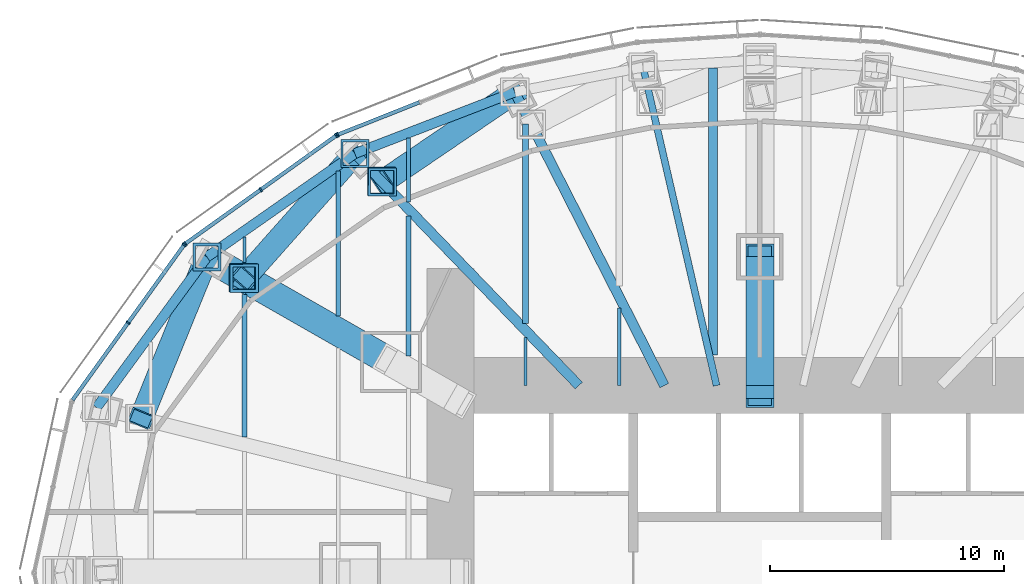
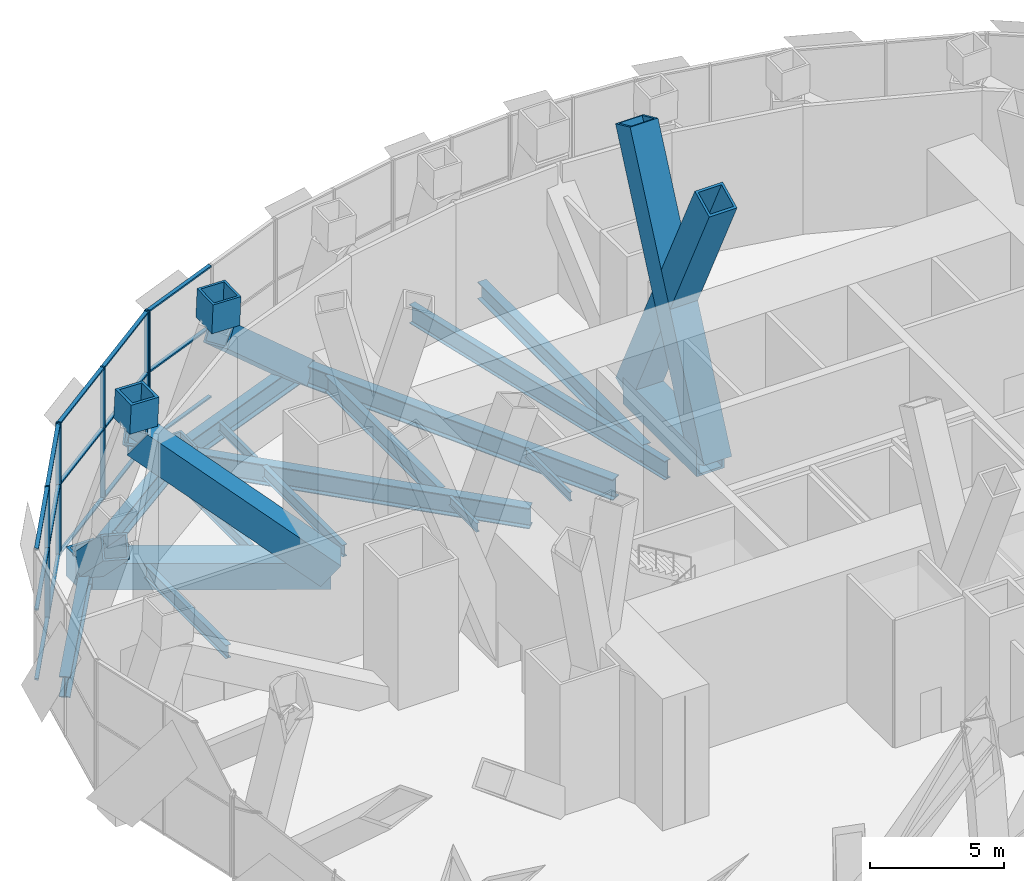
# One storey, part 8 of 21: 31 members, 17 beams, 3 elements without a shape of their own.
"""IFC4 building model written with IfcOpenShell, lengths in metres."""

from ifc_helpers import new_model, si_unit, direction, frame, origin, origin_2d, place, context, subcontext, project, spatial, rectangle, hollow_rectangle, i_section, extrude, material, material_profile, profile_set, type_object, element, aggregate, save


model = new_model("IFC4")

# Units and contexts
model_context = context("Model", 3, precision=1e-05, world=origin(), true_north=direction((0.0, 1.0)))
body_context = subcontext(model_context, "Body", "Model", "MODEL_VIEW")
ifc_project = project(units=[si_unit("LENGTHUNIT", "METRE"), si_unit("AREAUNIT", "SQUARE_METRE"), si_unit("VOLUMEUNIT", "CUBIC_METRE"), si_unit("PLANEANGLEUNIT", "RADIAN"), si_unit("MASSUNIT", "GRAM", prefix="KILO")], contexts=[model_context])

# Site, building, storey
site_placement = place(None, origin())
site = spatial("IfcSite", under=ifc_project, at=site_placement, CompositionType="ELEMENT")
building_placement = place(site_placement, origin())
building = spatial("IfcBuilding", under=site, at=building_placement, Name="Lantaw Convention Tower", CompositionType="ELEMENT")
storey_placement = place(building_placement, frame((0.0, 0.0, 105.39990234375)))
storey = spatial("IfcBuildingStorey", under=building, at=storey_placement, Name="L25", CompositionType="ELEMENT", Elevation=105.39990234375)

# Beams
ifc_material_1 = material(Name="Steel ASTM A992", Category="steel")
ifc_material_profile_1 = material_profile(ifc_material_1, i_section(OverallWidth=0.424072265625, OverallDepth=0.947509765625, WebThickness=0.02392578125, FlangeThickness=0.042724609375, FilletRadius=0.012451171875, at=origin_2d()), Name="W36X302")
ifc_profile_set_1 = profile_set([ifc_material_profile_1], Name="Steel ASTM A992")
beam_type_1 = type_object("IfcBeamType", Name="Beam BC W36X302", PredefinedType="SPANDREL", material=ifc_profile_set_1)
beam_1_placement = place(storey_placement, frame((-10.462646484375, 20.533935546875, -0.673583984375), z_axis=(-0.933232900641, -0.359271976588, 0.0), x_axis=(0.359271976588, -0.933232900641, 0.0)))
element("IfcBeam", 1, at=beam_1_placement, inside=storey, type_object=beam_type_1, Name="Belt truss chord 9", PredefinedType="SPANDREL", context=body_context, shape_type="SweptSolid", body=[
    extrude(i_section(OverallWidth=0.424072265625, OverallDepth=0.947509765625, WebThickness=0.02392578125, FlangeThickness=0.042724609375, FilletRadius=0.012451171875, at=origin_2d()), origin(), (0.0, 0.0, 1.0), 7.316650390625),
])
beam_2_placement = place(storey_placement, frame((-17.290771484375, 17.9052734375, -0.673583984375), z_axis=(-0.81942686407, -0.57318375277, 0.0), x_axis=(0.57318375277, -0.81942686407, 0.0)))
element("IfcBeam", 2, at=beam_2_placement, inside=storey, type_object=beam_type_1, Name="Belt truss chord 10", PredefinedType="SPANDREL", context=body_context, shape_type="SweptSolid", body=[
    extrude(i_section(OverallWidth=0.424072265625, OverallDepth=0.947509765625, WebThickness=0.02392578125, FlangeThickness=0.042724609375, FilletRadius=0.012451171875, at=origin_2d()), origin(), (0.0, 0.0, 1.0), 7.70556640625),
])
beam_3_placement = place(storey_placement, frame((-23.60498046875, 13.488525390625, -0.673583984375), z_axis=(-0.591270709086, -0.806473154281, 0.0), x_axis=(0.806473154281, -0.591270709086, 0.0)))
element("IfcBeam", 3, at=beam_3_placement, inside=storey, type_object=beam_type_1, Name="Belt truss chord 11", PredefinedType="SPANDREL", context=body_context, shape_type="SweptSolid", body=[
    extrude(i_section(OverallWidth=0.424072265625, OverallDepth=0.947509765625, WebThickness=0.02392578125, FlangeThickness=0.042724609375, FilletRadius=0.012451171875, at=origin_2d()), origin(), (0.0, 0.0, 1.0), 7.970703125),
])
ifc_material_2 = material(Name="Steel EN 10025-3 S460N", Category="steel")
ifc_material_profile_2 = material_profile(ifc_material_2, hollow_rectangle(XDim=1.199951171875, YDim=1.199951171875, WallThickness=0.10009765625, at=origin_2d()), Name="BOX1200X100")
ifc_profile_set_2 = profile_set([ifc_material_profile_2], Name="Steel EN 10025-3 S460N")
beam_type_2 = type_object("IfcBeamType", Name="Beam G BOX1200X100", PredefinedType="BEAM", material=ifc_profile_set_2)
beam_4_placement = place(storey_placement, frame((-15.75, 9.0, -0.7998046875), z_axis=(-0.868244802791, 0.496136032179, 0.0), x_axis=(-0.496136032179, -0.868244802791, 0.0)))
element("IfcBeam", 4, at=beam_4_placement, inside=storey, type_object=beam_type_2, Name="Floor girder on ray 11", PredefinedType="BEAM", context=body_context, shape_type="SweptSolid", body=[
    extrude(hollow_rectangle(XDim=1.199951171875, YDim=1.199951171875, WallThickness=0.10009765625, at=origin_2d()), origin(), (0.0, 0.0, 1.0), 9.046875),
])
ifc_material_profile_3 = material_profile(ifc_material_1, i_section(OverallWidth=0.2919921875, OverallDepth=0.845703125, WebThickness=0.015380859375, FlangeThickness=0.0244140625, FilletRadius=0.01513671875, at=origin_2d()), Name="W33X141")
ifc_profile_set_3 = profile_set([ifc_material_profile_3], Name="Steel ASTM A992")
beam_type_3 = type_object("IfcBeamType", Name="Beam G W33X141", PredefinedType="BEAM", material=ifc_profile_set_3)
beam_5_placement = place(storey_placement, frame((-1.846923828125, 8.0, -0.622802734375), z_axis=(-0.224952773175, 0.97436966796, 0.0), x_axis=(-0.97436966796, -0.224952773175, 0.0)))
element("IfcBeam", 5, at=beam_5_placement, inside=storey, type_object=beam_type_3, Name="Floor girder on ray 8", PredefinedType="BEAM", context=body_context, shape_type="SweptSolid", body=[
    extrude(i_section(OverallWidth=0.2919921875, OverallDepth=0.845703125, WebThickness=0.015380859375, FlangeThickness=0.0244140625, FilletRadius=0.01513671875, at=origin_2d()), origin(), (0.0, 0.0, 1.0), 13.955810546875),
])
ifc_material_profile_4 = material_profile(ifc_material_1, i_section(OverallWidth=0.421630859375, OverallDepth=0.937255859375, WebThickness=0.0224609375, FlangeThickness=0.039794921875, FilletRadius=0.02001953125, at=origin_2d()), Name="W36X282")
ifc_profile_set_4 = profile_set([ifc_material_profile_4], Name="Steel ASTM A992")
beam_type_4 = type_object("IfcBeamType", Name="Beam G W36X282", PredefinedType="BEAM", material=ifc_profile_set_4)
beam_6_placement = place(storey_placement, frame((-4.076171875, 8.0, -0.66845703125), z_axis=(-0.453997016122, 0.891003203896, 0.0), x_axis=(-0.891003203896, -0.453997016122, 0.0)))
element("IfcBeam", 6, at=beam_6_placement, inside=storey, type_object=beam_type_4, Name="Floor girder on ray 9", PredefinedType="BEAM", context=body_context, shape_type="SweptSolid", body=[
    extrude(i_section(OverallWidth=0.421630859375, OverallDepth=0.937255859375, WebThickness=0.0224609375, FlangeThickness=0.039794921875, FilletRadius=0.02001953125, at=origin_2d()), origin(), (0.0, 0.0, 1.0), 14.067138671875),
])
beam_7_placement = place(storey_placement, frame((-7.7255859375, 8.0, -0.66845703125), z_axis=(-0.694649884291, 0.719347995239, 0.0), x_axis=(-0.719347995239, -0.694649884291, 0.0)))
element("IfcBeam", 7, at=beam_7_placement, inside=storey, type_object=beam_type_4, Name="Floor girder on ray 10", PredefinedType="BEAM", context=body_context, shape_type="SweptSolid", body=[
    extrude(i_section(OverallWidth=0.421630859375, OverallDepth=0.937255859375, WebThickness=0.0224609375, FlangeThickness=0.039794921875, FilletRadius=0.02001953125, at=origin_2d()), origin(), (0.0, 0.0, 1.0), 13.769775390625),
])
ifc_material_profile_5 = material_profile(ifc_material_1, i_section(OverallWidth=0.140380859375, OverallDepth=0.40380859375, WebThickness=0.007080078125, FlangeThickness=0.01123046875, FilletRadius=0.01025390625, at=origin_2d()), Name="W16X31")
ifc_profile_set_5 = profile_set([ifc_material_profile_5], Name="Steel ASTM A992")
beam_type_5 = type_object("IfcBeamType", Name="Beam J W16X31", PredefinedType="JOIST", material=ifc_profile_set_5)
beam_8_placement = place(storey_placement, frame((-22.0, 13.262451171875, -0.40185546875), z_axis=(0.0, 1.0, 0.0), x_axis=(-1.0, 0.0, 0.0)))
element("IfcBeam", 8, at=beam_8_placement, inside=storey, type_object=beam_type_5, Name="Floor joist", PredefinedType="JOIST", context=body_context, shape_type="SweptSolid", body=[
    extrude(i_section(OverallWidth=0.140380859375, OverallDepth=0.40380859375, WebThickness=0.007080078125, FlangeThickness=0.01123046875, FilletRadius=0.01025390625, at=origin_2d()), origin(), (0.0, 0.0, 1.0), 1.08984375),
])
beam_9_placement = place(storey_placement, frame((-10.0, 8.0, -0.40185546875), z_axis=(0.0, 1.0, 0.0), x_axis=(-1.0, 0.0, 0.0)))
element("IfcBeam", 9, at=beam_9_placement, inside=storey, type_object=beam_type_5, Name="Floor joist", PredefinedType="JOIST", context=body_context, shape_type="SweptSolid", body=[
    extrude(i_section(OverallWidth=0.140380859375, OverallDepth=0.40380859375, WebThickness=0.007080078125, FlangeThickness=0.01123046875, FilletRadius=0.01025390625, at=origin_2d()), origin(), (0.0, 0.0, 1.0), 2.0517578125),
])
beam_10_placement = place(storey_placement, frame((-6.0, 8.0, -0.40185546875), z_axis=(0.0, 1.0, 0.0), x_axis=(-1.0, 0.0, 0.0)))
element("IfcBeam", 10, at=beam_10_placement, inside=storey, type_object=beam_type_5, Name="Floor joist", PredefinedType="JOIST", context=body_context, shape_type="SweptSolid", body=[
    extrude(i_section(OverallWidth=0.140380859375, OverallDepth=0.40380859375, WebThickness=0.007080078125, FlangeThickness=0.01123046875, FilletRadius=0.01025390625, at=origin_2d()), origin(), (0.0, 0.0, 1.0), 3.311279296875),
])
ifc_material_profile_6 = material_profile(ifc_material_1, i_section(OverallWidth=0.15234375, OverallDepth=0.449462890625, WebThickness=0.007568359375, FlangeThickness=0.0107421875, FilletRadius=0.01025390625, at=origin_2d()), Name="W18X35")
ifc_profile_set_6 = profile_set([ifc_material_profile_6], Name="Steel ASTM A992")
beam_type_6 = type_object("IfcBeamType", Name="Beam J W18X35", PredefinedType="JOIST", material=ifc_profile_set_6)
beam_11_placement = place(storey_placement, frame((-15.0, 15.83642578125, -0.4248046875), z_axis=(0.0, 1.0, 0.0), x_axis=(-1.0, 0.0, 0.0)))
element("IfcBeam", 11, at=beam_11_placement, inside=storey, type_object=beam_type_6, Name="Floor joist", PredefinedType="JOIST", context=body_context, shape_type="SweptSolid", body=[
    extrude(i_section(OverallWidth=0.15234375, OverallDepth=0.449462890625, WebThickness=0.007568359375, FlangeThickness=0.0107421875, FilletRadius=0.01025390625, at=origin_2d()), origin(), (0.0, 0.0, 1.0), 2.723388671875),
])
ifc_material_profile_7 = material_profile(ifc_material_1, i_section(OverallWidth=0.209228515625, OverallDepth=0.533447265625, WebThickness=0.01025390625, FlangeThickness=0.015625, FilletRadius=0.012939453125, at=origin_2d()), Name="W21X62")
ifc_profile_set_7 = profile_set([ifc_material_profile_7], Name="Steel ASTM A992")
beam_type_7 = type_object("IfcBeamType", Name="Beam J W21X62", PredefinedType="JOIST", material=ifc_profile_set_7)
beam_12_placement = place(storey_placement, frame((-18.0, 10.976806640625, -0.466552734375), z_axis=(0.0, 1.0, 0.0), x_axis=(-1.0, 0.0, 0.0)))
element("IfcBeam", 12, at=beam_12_placement, inside=storey, type_object=beam_type_7, Name="Floor joist", PredefinedType="JOIST", context=body_context, shape_type="SweptSolid", body=[
    extrude(i_section(OverallWidth=0.209228515625, OverallDepth=0.533447265625, WebThickness=0.01025390625, FlangeThickness=0.015625, FilletRadius=0.012939453125, at=origin_2d()), origin(), (0.0, 0.0, 1.0), 6.173583984375),
])
ifc_material_profile_8 = material_profile(ifc_material_1, i_section(OverallWidth=0.2099609375, OverallDepth=0.535888671875, WebThickness=0.010986328125, FlangeThickness=0.017333984375, FilletRadius=0.012939453125, at=origin_2d()), Name="W21X68")
ifc_profile_set_8 = profile_set([ifc_material_profile_8], Name="Steel ASTM A992")
beam_type_8 = type_object("IfcBeamType", Name="Beam J W21X68", PredefinedType="JOIST", material=ifc_profile_set_8)
beam_13_placement = place(storey_placement, frame((-15.0, 9.262451171875, -0.4677734375), z_axis=(0.0, 1.0, 0.0), x_axis=(-1.0, 0.0, 0.0)))
element("IfcBeam", 13, at=beam_13_placement, inside=storey, type_object=beam_type_8, Name="Floor joist", PredefinedType="JOIST", context=body_context, shape_type="SweptSolid", body=[
    extrude(i_section(OverallWidth=0.2099609375, OverallDepth=0.535888671875, WebThickness=0.010986328125, FlangeThickness=0.017333984375, FilletRadius=0.012939453125, at=origin_2d()), origin(), (0.0, 0.0, 1.0), 5.967041015625),
])
ifc_material_profile_9 = material_profile(ifc_material_1, i_section(OverallWidth=0.227783203125, OverallDepth=0.60205078125, WebThickness=0.010498046875, FlangeThickness=0.014892578125, FilletRadius=0.012939453125, at=origin_2d()), Name="W24X68")
ifc_profile_set_9 = profile_set([ifc_material_profile_9], Name="Steel ASTM A992")
beam_type_9 = type_object("IfcBeamType", Name="Beam J W24X68", PredefinedType="JOIST", material=ifc_profile_set_9)
beam_14_placement = place(storey_placement, frame((-22.0, 5.79443359375, -0.5009765625), z_axis=(0.0, 1.0, 0.0), x_axis=(-1.0, 0.0, 0.0)))
element("IfcBeam", 14, at=beam_14_placement, inside=storey, type_object=beam_type_9, Name="Floor joist", PredefinedType="JOIST", context=body_context, shape_type="SweptSolid", body=[
    extrude(i_section(OverallWidth=0.227783203125, OverallDepth=0.60205078125, WebThickness=0.010498046875, FlangeThickness=0.014892578125, FilletRadius=0.012939453125, at=origin_2d()), origin(), (0.0, 0.0, 1.0), 6.0859375),
])
ifc_material_profile_10 = material_profile(ifc_material_1, i_section(OverallWidth=0.2666015625, OverallDepth=0.7568359375, WebThickness=0.013916015625, FlangeThickness=0.019287109375, FilletRadius=0.0126953125, at=origin_2d()), Name="W30X108")
ifc_profile_set_10 = profile_set([ifc_material_profile_10], Name="Steel ASTM A992")
beam_type_10 = type_object("IfcBeamType", Name="Beam J W30X108", PredefinedType="JOIST", material=ifc_profile_set_10)
beam_15_placement = place(storey_placement, frame((-10.0, 10.65869140625, -0.578369140625), z_axis=(0.0, 1.0, 0.0), x_axis=(-1.0, 0.0, 0.0)))
element("IfcBeam", 15, at=beam_15_placement, inside=storey, type_object=beam_type_10, Name="Floor joist", PredefinedType="JOIST", context=body_context, shape_type="SweptSolid", body=[
    extrude(i_section(OverallWidth=0.2666015625, OverallDepth=0.7568359375, WebThickness=0.013916015625, FlangeThickness=0.019287109375, FilletRadius=0.0126953125, at=origin_2d()), origin(), (0.0, 0.0, 1.0), 8.5029296875),
])
ifc_material_profile_11 = material_profile(ifc_material_1, i_section(OverallWidth=0.381103515625, OverallDepth=0.772216796875, WebThickness=0.0166015625, FlangeThickness=0.027099609375, FilletRadius=0.0146484375, at=origin_2d()), Name="W30X173")
ifc_profile_set_11 = profile_set([ifc_material_profile_11], Name="Steel ASTM A992")
beam_type_11 = type_object("IfcBeamType", Name="Beam J W30X173", PredefinedType="JOIST", material=ifc_profile_set_11)
beam_16_placement = place(storey_placement, frame((-2.0, 9.312255859375, -0.5859375), z_axis=(0.0, 1.0, 0.0), x_axis=(-1.0, 0.0, 0.0)))
element("IfcBeam", 16, at=beam_16_placement, inside=storey, type_object=beam_type_11, Name="Floor joist", PredefinedType="JOIST", context=body_context, shape_type="SweptSolid", body=[
    extrude(i_section(OverallWidth=0.381103515625, OverallDepth=0.772216796875, WebThickness=0.0166015625, FlangeThickness=0.027099609375, FilletRadius=0.0146484375, at=origin_2d()), origin(), (0.0, 0.0, 1.0), 12.254150390625),
])
ifc_material_profile_12 = material_profile(ifc_material_2, hollow_rectangle(XDim=1.199951171875, YDim=1.199951171875, WallThickness=0.10009765625, at=origin_2d()), Name="BOX1200X100")
ifc_profile_set_12 = profile_set([ifc_material_profile_12], Name="Steel EN 10025-3 S460N")
beam_type_12 = type_object("IfcBeamType", Name="Beam OC BOX1200X100", PredefinedType="BEAM", material=ifc_profile_set_12)
beam_17_placement = place(storey_placement, frame((0.0, 8.0, -0.7998046875), z_axis=(0.0, 1.0, 0.0), x_axis=(-1.0, 0.0, 0.0)))
element("IfcBeam", 17, at=beam_17_placement, inside=storey, type_object=beam_type_12, Name="Outrigger chord on ray 7", PredefinedType="BEAM", context=body_context, shape_type="SweptSolid", body=[
    extrude(hollow_rectangle(XDim=1.199951171875, YDim=1.199951171875, WallThickness=0.10009765625, at=origin_2d()), origin(), (0.0, 0.0, 1.0), 5.5),
])

# Curtain wall, member
ifc_material_3 = material(Name="Aluminium framed curtain wall", Category="aluminium")
curtain_wall_type = type_object("IfcCurtainWallType", Name="Plant floor louvre wall, pale aluminium", PredefinedType="USERDEFINED", material=ifc_material_3)
curtain_wall_1_placement = place(storey_placement, origin())
curtain_wall_1 = element("IfcCurtainWall", 18, at=curtain_wall_1_placement, inside=storey, type_object=curtain_wall_type, Name="Plant floor louvre wall, pale aluminium L25", ObjectType="LOUVRE WALL", PredefinedType="USERDEFINED")
ifc_material_4 = material(Name="Aluminium 6063-T6", Category="aluminium")
ifc_material_profile_13 = material_profile(ifc_material_4, rectangle(XDim=0.199951171875, YDim=0.070068359375, at=origin_2d()), Name="CW-LV mullion 70x200")
ifc_profile_set_13 = profile_set([ifc_material_profile_13], Name="Aluminium 6063-T6")
member_type_1 = type_object("IfcMemberType", Name="CW-LV mullion 70x200", PredefinedType="MULLION", material=ifc_profile_set_13)
member_1_placement = place(storey_placement, frame((-18.0224609375, 18.70947265625, -0.199951171875), z_axis=(0.0, 0.0, 1.0), x_axis=(0.369171840425, -0.929361152748, 0.0)))
member_1 = element("IfcMember", 19, at=member_1_placement, type_object=member_type_1, Name="CW-LV mullion 3", PredefinedType="MULLION", context=body_context, shape_type="SweptSolid", body=[
    extrude(rectangle(XDim=0.199951171875, YDim=0.070068359375, at=origin_2d()), origin(), (0.0, 0.0, 1.0), 6.0),
])

# Curtain wall, members
curtain_wall_2_placement = place(storey_placement, origin())
curtain_wall_2 = element("IfcCurtainWall", 20, at=curtain_wall_2_placement, inside=storey, type_object=curtain_wall_type, Name="Plant floor louvre wall, pale aluminium L25", ObjectType="LOUVRE WALL", PredefinedType="USERDEFINED")
member_2_placement = place(storey_placement, frame((-18.08349609375, 18.676025390625, -0.199951171875), z_axis=(0.0, 0.0, 1.0), x_axis=(0.5825376308, -0.812803733199, 0.0)))
member_2 = element("IfcMember", 21, at=member_2_placement, type_object=member_type_1, Name="CW-LV mullion 1", PredefinedType="MULLION", context=body_context, shape_type="SweptSolid", body=[
    extrude(rectangle(XDim=0.199951171875, YDim=0.070068359375, at=origin_2d()), origin(), (0.0, 0.0, 1.0), 6.0),
])
member_3_placement = place(storey_placement, frame((-21.307373046875, 16.365478515625, -0.199951171875), z_axis=(0.0, 0.0, 1.0), x_axis=(0.5825376308, -0.812803733199, 0.0)))
member_3 = element("IfcMember", 22, at=member_3_placement, type_object=member_type_1, Name="CW-LV mullion 2", PredefinedType="MULLION", context=body_context, shape_type="SweptSolid", body=[
    extrude(rectangle(XDim=0.199951171875, YDim=0.070068359375, at=origin_2d()), origin(), (0.0, 0.0, 1.0), 6.0),
])
member_4_placement = place(storey_placement, frame((-24.531494140625, 14.0546875, -0.199951171875), z_axis=(0.0, 0.0, 1.0), x_axis=(0.5825376308, -0.812803733199, 0.0)))
member_4 = element("IfcMember", 23, at=member_4_placement, type_object=member_type_1, Name="CW-LV mullion 3", PredefinedType="MULLION", context=body_context, shape_type="SweptSolid", body=[
    extrude(rectangle(XDim=0.199951171875, YDim=0.070068359375, at=origin_2d()), origin(), (0.0, 0.0, 1.0), 6.0),
])

curtain_wall_3_placement = place(storey_placement, origin())
curtain_wall_3 = element("IfcCurtainWall", 24, at=curtain_wall_3_placement, inside=storey, type_object=curtain_wall_type, Name="Plant floor louvre wall, pale aluminium L25", ObjectType="LOUVRE WALL", PredefinedType="USERDEFINED")
member_5_placement = place(storey_placement, frame((-24.580322265625, 14.005859375, -0.199951171875), z_axis=(0.0, 0.0, 1.0), x_axis=(0.811788726895, -0.583951250436, 0.0)))
member_5 = element("IfcMember", 25, at=member_5_placement, type_object=member_type_1, Name="CW-LV mullion 1", PredefinedType="MULLION", context=body_context, shape_type="SweptSolid", body=[
    extrude(rectangle(XDim=0.199951171875, YDim=0.070068359375, at=origin_2d()), origin(), (0.0, 0.0, 1.0), 6.0),
])
member_6_placement = place(storey_placement, frame((-26.97265625, 10.680419921875, -0.199951171875), z_axis=(0.0, 0.0, 1.0), x_axis=(0.811788726895, -0.583951250436, 0.0)))
member_6 = element("IfcMember", 26, at=member_6_placement, type_object=member_type_1, Name="CW-LV mullion 2", PredefinedType="MULLION", context=body_context, shape_type="SweptSolid", body=[
    extrude(rectangle(XDim=0.199951171875, YDim=0.070068359375, at=origin_2d()), origin(), (0.0, 0.0, 1.0), 6.0),
])

# Member
ifc_material_profile_14 = material_profile(ifc_material_4, rectangle(XDim=0.159912109375, YDim=0.070068359375, at=origin_2d()), Name="CW-LV transom 70x160")
ifc_profile_set_14 = profile_set([ifc_material_profile_14], Name="Aluminium 6063-T6")
member_type_2 = type_object("IfcMemberType", Name="CW-LV transom 70x160", PredefinedType="USERDEFINED", material=ifc_profile_set_14)
member_7_placement = place(storey_placement, frame((-14.541015625, 20.09228515625, -0.164794921875), z_axis=(-0.929376820828, -0.369132394823, 0.0), x_axis=(0.369132394823, -0.929376820828, 0.0)))
member_7 = element("IfcMember", 27, at=member_7_placement, type_object=member_type_2, Name="CW-LV transom 2.1", ObjectType="TRANSOM", PredefinedType="USERDEFINED", context=body_context, shape_type="SweptSolid", body=[
    extrude(rectangle(XDim=0.159912109375, YDim=0.070068359375, at=origin_2d()), origin(), (0.0, 0.0, 1.0), 3.711181640625),
])

member_8_placement = place(storey_placement, frame((-14.541015625, 20.09228515625, 3.0), z_axis=(-0.929376820828, -0.369132394823, 0.0), x_axis=(0.369132394823, -0.929376820828, 0.0)))
member_8 = element("IfcMember", 28, at=member_8_placement, type_object=member_type_2, Name="CW-LV transom 2.2", ObjectType="TRANSOM", PredefinedType="USERDEFINED", context=body_context, shape_type="SweptSolid", body=[
    extrude(rectangle(XDim=0.159912109375, YDim=0.070068359375, at=origin_2d()), origin(), (0.0, 0.0, 1.0), 3.711181640625),
])

member_9_placement = place(storey_placement, frame((-14.541015625, 20.09228515625, 5.76513671875), z_axis=(-0.929376820828, -0.369132394823, 0.0), x_axis=(0.369132394823, -0.929376820828, 0.0)))
member_9 = element("IfcMember", 29, at=member_9_placement, type_object=member_type_2, Name="CW-LV transom 2.3", ObjectType="TRANSOM", PredefinedType="USERDEFINED", context=body_context, shape_type="SweptSolid", body=[
    extrude(rectangle(XDim=0.159912109375, YDim=0.070068359375, at=origin_2d()), origin(), (0.0, 0.0, 1.0), 3.711181640625),
])

aggregate(curtain_wall_1, [member_1, member_7, member_8, member_9])

member_10_placement = place(storey_placement, frame((-18.11181640625, 18.65576171875, -0.164794921875), z_axis=(-0.812796855992, -0.582547226317, 0.0), x_axis=(0.582547226317, -0.812796855992, 0.0)))
member_10 = element("IfcMember", 30, at=member_10_placement, type_object=member_type_2, Name="CW-LV transom 1.1", ObjectType="TRANSOM", PredefinedType="USERDEFINED", context=body_context, shape_type="SweptSolid", body=[
    extrude(rectangle(XDim=0.159912109375, YDim=0.070068359375, at=origin_2d()), origin(), (0.0, 0.0, 1.0), 3.896728515625),
])

member_11_placement = place(storey_placement, frame((-18.11181640625, 18.65576171875, 3.0), z_axis=(-0.812796855992, -0.582547226317, 0.0), x_axis=(0.582547226317, -0.812796855992, 0.0)))
member_11 = element("IfcMember", 31, at=member_11_placement, type_object=member_type_2, Name="CW-LV transom 1.2", ObjectType="TRANSOM", PredefinedType="USERDEFINED", context=body_context, shape_type="SweptSolid", body=[
    extrude(rectangle(XDim=0.159912109375, YDim=0.070068359375, at=origin_2d()), origin(), (0.0, 0.0, 1.0), 3.896728515625),
])

member_12_placement = place(storey_placement, frame((-18.11181640625, 18.65576171875, 5.76513671875), z_axis=(-0.812796855992, -0.582547226317, 0.0), x_axis=(0.582547226317, -0.812796855992, 0.0)))
member_12 = element("IfcMember", 32, at=member_12_placement, type_object=member_type_2, Name="CW-LV transom 1.3", ObjectType="TRANSOM", PredefinedType="USERDEFINED", context=body_context, shape_type="SweptSolid", body=[
    extrude(rectangle(XDim=0.159912109375, YDim=0.070068359375, at=origin_2d()), origin(), (0.0, 0.0, 1.0), 3.896728515625),
])

member_13_placement = place(storey_placement, frame((-21.3359375, 16.344970703125, -0.164794921875), z_axis=(-0.812796855992, -0.582547226317, 0.0), x_axis=(0.582547226317, -0.812796855992, 0.0)))
member_13 = element("IfcMember", 33, at=member_13_placement, type_object=member_type_2, Name="CW-LV transom 2.1", ObjectType="TRANSOM", PredefinedType="USERDEFINED", context=body_context, shape_type="SweptSolid", body=[
    extrude(rectangle(XDim=0.159912109375, YDim=0.070068359375, at=origin_2d()), origin(), (0.0, 0.0, 1.0), 3.896728515625),
])

member_14_placement = place(storey_placement, frame((-21.3359375, 16.344970703125, 3.0), z_axis=(-0.812796855992, -0.582547226317, 0.0), x_axis=(0.582547226317, -0.812796855992, 0.0)))
member_14 = element("IfcMember", 34, at=member_14_placement, type_object=member_type_2, Name="CW-LV transom 2.2", ObjectType="TRANSOM", PredefinedType="USERDEFINED", context=body_context, shape_type="SweptSolid", body=[
    extrude(rectangle(XDim=0.159912109375, YDim=0.070068359375, at=origin_2d()), origin(), (0.0, 0.0, 1.0), 3.896728515625),
])

member_15_placement = place(storey_placement, frame((-21.3359375, 16.344970703125, 5.76513671875), z_axis=(-0.812796855992, -0.582547226317, 0.0), x_axis=(0.582547226317, -0.812796855992, 0.0)))
member_15 = element("IfcMember", 35, at=member_15_placement, type_object=member_type_2, Name="CW-LV transom 2.3", ObjectType="TRANSOM", PredefinedType="USERDEFINED", context=body_context, shape_type="SweptSolid", body=[
    extrude(rectangle(XDim=0.159912109375, YDim=0.070068359375, at=origin_2d()), origin(), (0.0, 0.0, 1.0), 3.896728515625),
])

aggregate(curtain_wall_2, [member_2, member_3, member_4, member_10, member_11, member_12, member_13, member_14, member_15])

member_16_placement = place(storey_placement, frame((-24.600830078125, 13.9775390625, -0.164794921875), z_axis=(-0.583942092364, -0.811795314574, 0.0), x_axis=(0.811795314574, -0.583942092364, 0.0)))
member_16 = element("IfcMember", 36, at=member_16_placement, type_object=member_type_2, Name="CW-LV transom 1.1", ObjectType="TRANSOM", PredefinedType="USERDEFINED", context=body_context, shape_type="SweptSolid", body=[
    extrude(rectangle(XDim=0.159912109375, YDim=0.070068359375, at=origin_2d()), origin(), (0.0, 0.0, 1.0), 4.026611328125),
])

member_17_placement = place(storey_placement, frame((-24.600830078125, 13.9775390625, 3.0), z_axis=(-0.583942092364, -0.811795314574, 0.0), x_axis=(0.811795314574, -0.583942092364, 0.0)))
member_17 = element("IfcMember", 37, at=member_17_placement, type_object=member_type_2, Name="CW-LV transom 1.2", ObjectType="TRANSOM", PredefinedType="USERDEFINED", context=body_context, shape_type="SweptSolid", body=[
    extrude(rectangle(XDim=0.159912109375, YDim=0.070068359375, at=origin_2d()), origin(), (0.0, 0.0, 1.0), 4.026611328125),
])

member_18_placement = place(storey_placement, frame((-24.600830078125, 13.9775390625, 5.76513671875), z_axis=(-0.583942092364, -0.811795314574, 0.0), x_axis=(0.811795314574, -0.583942092364, 0.0)))
member_18 = element("IfcMember", 38, at=member_18_placement, type_object=member_type_2, Name="CW-LV transom 1.3", ObjectType="TRANSOM", PredefinedType="USERDEFINED", context=body_context, shape_type="SweptSolid", body=[
    extrude(rectangle(XDim=0.159912109375, YDim=0.070068359375, at=origin_2d()), origin(), (0.0, 0.0, 1.0), 4.026611328125),
])

member_19_placement = place(storey_placement, frame((-26.992919921875, 10.652099609375, -0.164794921875), z_axis=(-0.583942092364, -0.811795314574, 0.0), x_axis=(0.811795314574, -0.583942092364, 0.0)))
member_19 = element("IfcMember", 39, at=member_19_placement, type_object=member_type_2, Name="CW-LV transom 2.1", ObjectType="TRANSOM", PredefinedType="USERDEFINED", context=body_context, shape_type="SweptSolid", body=[
    extrude(rectangle(XDim=0.159912109375, YDim=0.070068359375, at=origin_2d()), origin(), (0.0, 0.0, 1.0), 4.026611328125),
])

member_20_placement = place(storey_placement, frame((-26.992919921875, 10.652099609375, 3.0), z_axis=(-0.583942092364, -0.811795314574, 0.0), x_axis=(0.811795314574, -0.583942092364, 0.0)))
member_20 = element("IfcMember", 40, at=member_20_placement, type_object=member_type_2, Name="CW-LV transom 2.2", ObjectType="TRANSOM", PredefinedType="USERDEFINED", context=body_context, shape_type="SweptSolid", body=[
    extrude(rectangle(XDim=0.159912109375, YDim=0.070068359375, at=origin_2d()), origin(), (0.0, 0.0, 1.0), 4.026611328125),
])

member_21_placement = place(storey_placement, frame((-26.992919921875, 10.652099609375, 5.76513671875), z_axis=(-0.583942092364, -0.811795314574, 0.0), x_axis=(0.811795314574, -0.583942092364, 0.0)))
member_21 = element("IfcMember", 41, at=member_21_placement, type_object=member_type_2, Name="CW-LV transom 2.3", ObjectType="TRANSOM", PredefinedType="USERDEFINED", context=body_context, shape_type="SweptSolid", body=[
    extrude(rectangle(XDim=0.159912109375, YDim=0.070068359375, at=origin_2d()), origin(), (0.0, 0.0, 1.0), 4.026611328125),
])

aggregate(curtain_wall_3, [member_5, member_6, member_16, member_17, member_18, member_19, member_20, member_21])

# Members
ifc_material_5 = material(Name="Steel ASTM A572 Grade 50", Category="steel")
ifc_material_profile_15 = material_profile(ifc_material_5, hollow_rectangle(XDim=1.0, YDim=1.0, WallThickness=0.080078125, at=origin_2d()), Name="BOX1000X80")
ifc_profile_set_15 = profile_set([ifc_material_profile_15], Name="Steel ASTM A572 Grade 50")
member_type_3 = type_object("IfcMemberType", Name="Member BT BOX1000X80", PredefinedType="BRACE", material=ifc_profile_set_15)
member_22_placement = place(storey_placement, frame((-10.462646484375, 20.533935546875, -0.673583984375), z_axis=(-0.621642880465, -0.422533588483, 0.659564625925), x_axis=(0.562143007947, -0.827040046562, 0.0)))
element("IfcMember", 42, at=member_22_placement, inside=storey, type_object=member_type_3, Name="Belt truss diagonal 9", PredefinedType="BRACE", context=body_context, shape_type="SweptSolid", body=[
    extrude(hollow_rectangle(XDim=1.0, YDim=1.0, WallThickness=0.080078125, at=origin_2d()), origin(), (0.0, 0.0, 1.0), 9.096923828125),
])
member_23_placement = place(storey_placement, frame((-17.290771484375, 17.9052734375, -0.673583984375), z_axis=(-0.507326813545, -0.57207352618, 0.644477606207), x_axis=(0.748177059464, -0.663499124107, 0.0)))
element("IfcMember", 43, at=member_23_placement, inside=storey, type_object=member_type_3, Name="Belt truss diagonal 10", PredefinedType="BRACE", context=body_context, shape_type="SweptSolid", body=[
    extrude(hollow_rectangle(XDim=1.0, YDim=1.0, WallThickness=0.080078125, at=origin_2d()), origin(), (0.0, 0.0, 1.0), 9.309814453125),
])
member_24_placement = place(storey_placement, frame((-23.60498046875, 13.488525390625, -0.673583984375), z_axis=(-0.294193876432, -0.721272549782, 0.62706927209), x_axis=(0.925938832238, -0.377673508409, 0.0)))
element("IfcMember", 44, at=member_24_placement, inside=storey, type_object=member_type_3, Name="Belt truss diagonal 11", PredefinedType="BRACE", context=body_context, shape_type="SweptSolid", body=[
    extrude(hollow_rectangle(XDim=1.0, YDim=1.0, WallThickness=0.080078125, at=origin_2d()), origin(), (0.0, 0.0, 1.0), 9.568359375),
])
ifc_material_6 = material(Name="Cast steel ASTM A148 Grade 80-50", Category="steel")
ifc_material_profile_16 = material_profile(ifc_material_6, hollow_rectangle(XDim=1.199951171875, YDim=1.199951171875, WallThickness=0.10009765625, at=origin_2d()), Name="BOX1200X100")
ifc_profile_set_16 = profile_set([ifc_material_profile_16], Name="Cast steel ASTM A148 Grade 80-50")
member_type_4 = type_object("IfcMemberType", Name="Member CN BOX1200X100", PredefinedType="USERDEFINED", material=ifc_profile_set_16)
member_25_placement = place(storey_placement, frame((-17.290771484375, 17.9052734375, -1.31982421875), z_axis=(0.0, 0.0, 1.0), x_axis=(1.0, 0.0, 0.0)))
element("IfcMember", 45, at=member_25_placement, inside=storey, type_object=member_type_4, Name="Cast steel column node", ObjectType="COLUMN NODE", PredefinedType="USERDEFINED", context=body_context, shape_type="SweptSolid", body=[
    extrude(hollow_rectangle(XDim=1.199951171875, YDim=1.199951171875, WallThickness=0.10009765625, at=origin_2d()), origin(), (0.0, 0.0, 1.0), 1.31982421875),
])
member_26_placement = place(storey_placement, frame((-16.14990234375, 16.723876953125, 5.83447265625), z_axis=(0.024397586421, -0.025506567622, 0.999376892261), x_axis=(0.999690962829, -0.004145682845, -0.024511061832)))
element("IfcMember", 46, at=member_26_placement, inside=storey, type_object=member_type_4, Name="Cast steel column node", ObjectType="COLUMN NODE", PredefinedType="USERDEFINED", context=body_context, shape_type="SweptSolid", body=[
    extrude(hollow_rectangle(XDim=1.199951171875, YDim=1.199951171875, WallThickness=0.10009765625, at=origin_2d()), origin(), (0.0, 0.0, 1.0), 1.32080078125),
])
ifc_material_profile_17 = material_profile(ifc_material_6, hollow_rectangle(XDim=1.199951171875, YDim=1.199951171875, WallThickness=0.1201171875, at=origin_2d()), Name="BOX1200X120")
ifc_profile_set_17 = profile_set([ifc_material_profile_17], Name="Cast steel ASTM A148 Grade 80-50")
member_type_5 = type_object("IfcMemberType", Name="Member CN BOX1200X120", PredefinedType="USERDEFINED", material=ifc_profile_set_17)
member_27_placement = place(storey_placement, frame((-23.60498046875, 13.488525390625, -1.31982421875), z_axis=(0.0, 0.0, 1.0), x_axis=(1.0, 0.0, 0.0)))
element("IfcMember", 47, at=member_27_placement, inside=storey, type_object=member_type_5, Name="Cast steel column node", ObjectType="COLUMN NODE", PredefinedType="USERDEFINED", context=body_context, shape_type="SweptSolid", body=[
    extrude(hollow_rectangle(XDim=1.199951171875, YDim=1.199951171875, WallThickness=0.1201171875, at=origin_2d()), origin(), (0.0, 0.0, 1.0), 1.31982421875),
])
member_28_placement = place(storey_placement, frame((-22.061279296875, 12.6064453125, 5.82177734375), z_axis=(0.035848799969, -0.020511426786, 0.999146708403), x_axis=(0.999357066375, 0.000172132711, -0.035852813787)))
element("IfcMember", 48, at=member_28_placement, inside=storey, type_object=member_type_5, Name="Cast steel column node", ObjectType="COLUMN NODE", PredefinedType="USERDEFINED", context=body_context, shape_type="SweptSolid", body=[
    extrude(hollow_rectangle(XDim=1.199951171875, YDim=1.199951171875, WallThickness=0.1201171875, at=origin_2d()), origin(), (0.0, 0.0, 1.0), 1.3212890625),
])
ifc_material_profile_18 = material_profile(ifc_material_2, hollow_rectangle(XDim=1.199951171875, YDim=1.199951171875, WallThickness=0.10009765625, at=origin_2d()), Name="BOX1200X100")
ifc_profile_set_18 = profile_set([ifc_material_profile_18], Name="Steel EN 10025-3 S460N")
member_type_6 = type_object("IfcMemberType", Name="Member OT BOX1200X100", PredefinedType="BRACE", material=ifc_profile_set_18)
member_29_placement = place(storey_placement, frame((0.0, 8.0, -0.7998046875), z_axis=(0.0, 0.415230010875, 0.90971646026), x_axis=(-1.0, 0.0, 0.0)))
element("IfcMember", 49, at=member_29_placement, inside=storey, type_object=member_type_6, Name="Outrigger diagonal 7", PredefinedType="BRACE", context=body_context, shape_type="SweptSolid", body=[
    extrude(hollow_rectangle(XDim=1.199951171875, YDim=1.199951171875, WallThickness=0.10009765625, at=origin_2d()), origin(), (0.0, 0.0, 1.0), 13.24560546875),
])
member_30_placement = place(storey_placement, frame((0.0, 7.60009765625, 11.25), z_axis=(0.0, 0.439744645115, -0.898122846326), x_axis=(-1.0, 0.0, 0.0)))
element("IfcMember", 50, at=member_30_placement, inside=storey, type_object=member_type_6, Name="Outrigger diagonal 7 (reverse)", PredefinedType="BRACE", context=body_context, shape_type="SweptSolid", body=[
    extrude(hollow_rectangle(XDim=1.199951171875, YDim=1.199951171875, WallThickness=0.10009765625, at=origin_2d()), origin(), (0.0, 0.0, 1.0), 13.416748046875),
])
member_31_placement = place(storey_placement, frame((-15.75, 9.0, -0.7998046875), z_axis=(-0.667552292736, 0.381454736088, 0.639426478009), x_axis=(-0.496135293993, -0.868245224608, 0.0)))
element("IfcMember", 51, at=member_31_placement, inside=storey, type_object=member_type_6, Name="Outrigger diagonal 11 (outer)", PredefinedType="BRACE", context=body_context, shape_type="SweptSolid", body=[
    extrude(hollow_rectangle(XDim=1.199951171875, YDim=1.199951171875, WallThickness=0.10009765625, at=origin_2d()), origin(), (0.0, 0.0, 1.0), 9.38330078125),
])

save(model, "model.ifc")
